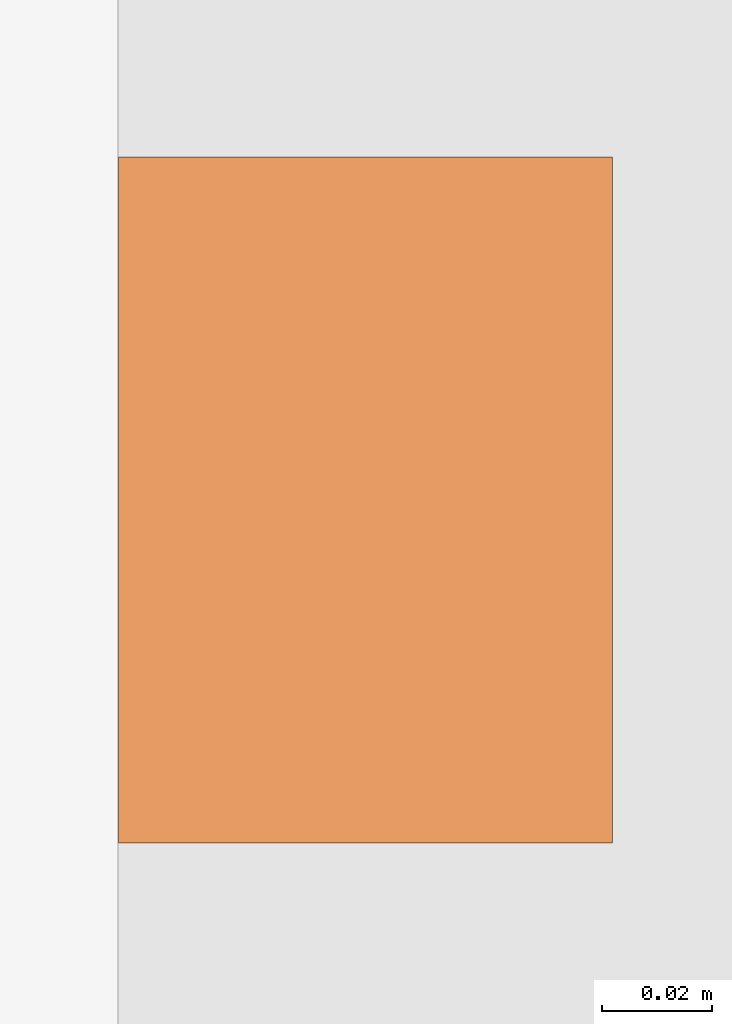
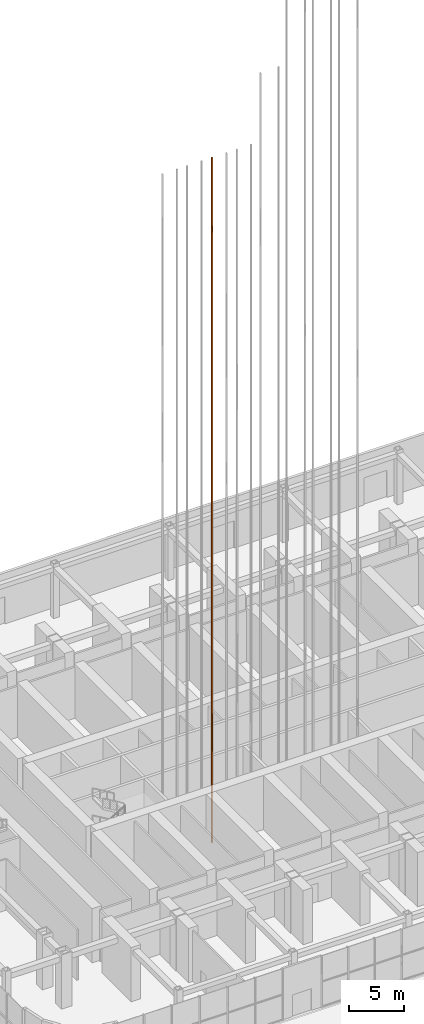
# One storey, part 46 of 57: 1 proxy.
"""IFC4 building model written with IfcOpenShell, lengths in metres."""

from ifc_helpers import new_model, si_unit, direction, frame, origin, origin_2d, place, context, subcontext, project, spatial, rectangle, extrude, material, element, save


model = new_model("IFC4")

# Units and contexts
model_context = context("Model", 3, precision=1e-05, world=origin(), true_north=direction((0.0, 1.0)))
body_context = subcontext(model_context, "Body", "Model", "MODEL_VIEW")
ifc_project = project(units=[si_unit("LENGTHUNIT", "METRE"), si_unit("AREAUNIT", "SQUARE_METRE"), si_unit("VOLUMEUNIT", "CUBIC_METRE"), si_unit("PLANEANGLEUNIT", "RADIAN"), si_unit("MASSUNIT", "GRAM", prefix="KILO")], contexts=[model_context])

# Site, building, storey
site_placement = place(None, origin())
site = spatial("IfcSite", under=ifc_project, at=site_placement, CompositionType="ELEMENT")
building_placement = place(site_placement, origin())
building = spatial("IfcBuilding", under=site, at=building_placement, Name="Orbita Commons", CompositionType="ELEMENT")
storey_placement = place(building_placement, origin())
storey = spatial("IfcBuildingStorey", under=building, at=storey_placement, Name="L00", CompositionType="ELEMENT", Elevation=0.0)

# Proxy
ifc_material = material(Name="Machined steel guide rail", Category="steel")
placement = place(storey_placement, frame((32.5, 28.10009765625, 0.0), z_axis=(0.0, 0.0, 1.0), x_axis=(1.0, 0.0, 0.0)))
proxy_placement = place(placement, frame((-0.7548828125, 0.0, -1.800048828125)))
element("IfcBuildingElementProxy", 1, at=proxy_placement, inside=storey, material=ifc_material, Name="P13 guide rail 1", ObjectType="GUIDE RAIL", PredefinedType="USERDEFINED", context=body_context, shape_type="SweptSolid", body=[
    extrude(rectangle(XDim=0.09, YDim=0.125, at=origin_2d()), origin(), (0.0, 0.0, 1.0), 75.85009765625),
])

save(model, "model.ifc")
